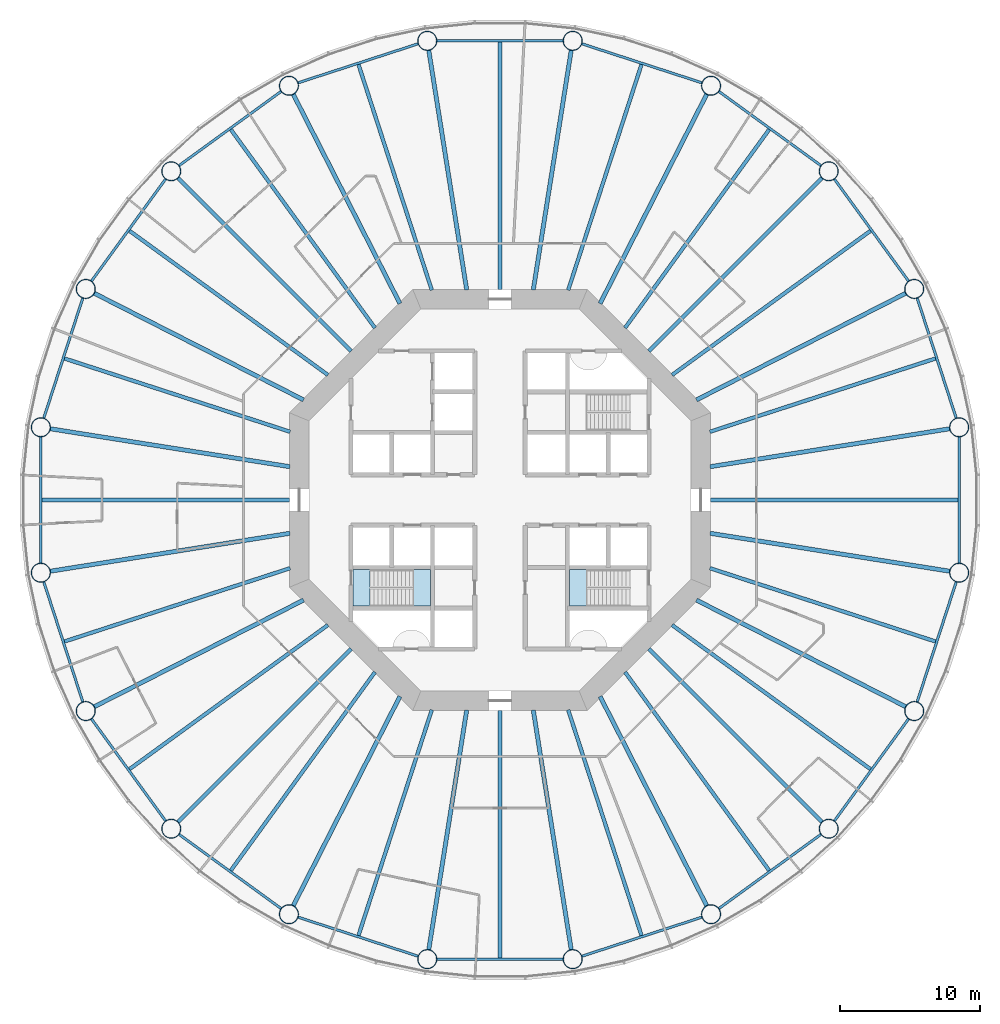
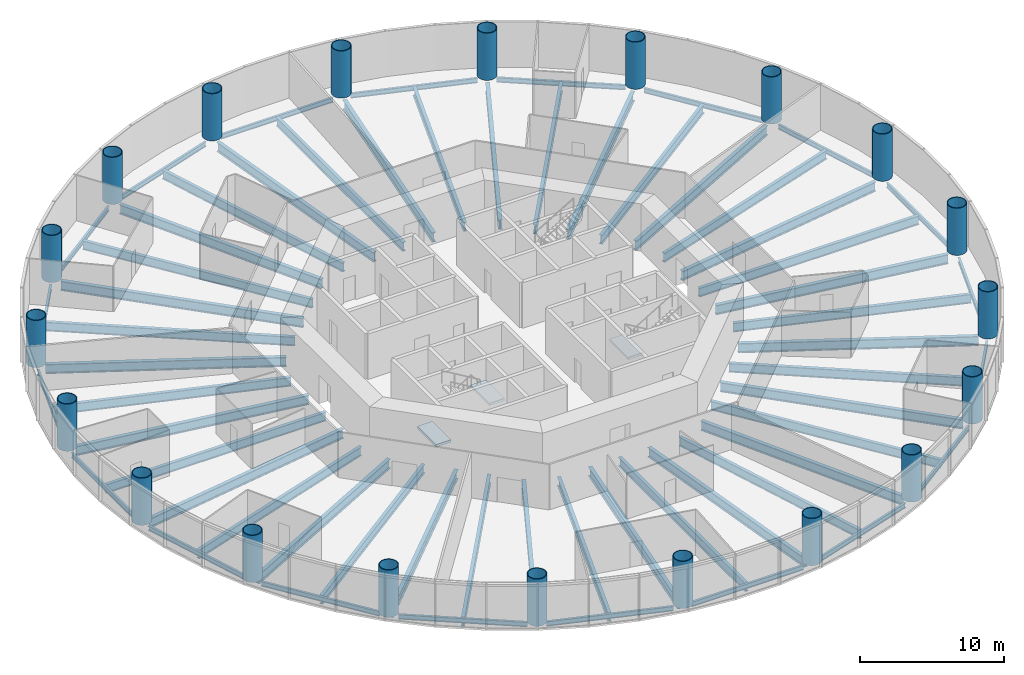
# One storey, part 1 of 13: 60 beams, 20 columns, 3 slabs, 2 elements without a shape of their own.
"""IFC4 building model written with IfcOpenShell, lengths in metres."""

from ifc_helpers import new_model, si_unit, direction, frame, origin, origin_2d, place, context, subcontext, project, spatial, polyline, circle, hollow_circle, i_section, outline, extrude, material, layer, layer_set, material_profile, profile_set, type_object, element, aggregate, save


model = new_model("IFC4")

# Units and contexts
model_context = context("Model", 3, precision=1e-05, world=origin(), true_north=direction((0.0, 1.0)))
body_context = subcontext(model_context, "Body", "Model", "MODEL_VIEW")
ifc_project = project(units=[si_unit("LENGTHUNIT", "METRE"), si_unit("AREAUNIT", "SQUARE_METRE"), si_unit("VOLUMEUNIT", "CUBIC_METRE"), si_unit("PLANEANGLEUNIT", "RADIAN"), si_unit("MASSUNIT", "GRAM", prefix="KILO")], contexts=[model_context])

# Site, building, storey
site_placement = place(None, origin())
site = spatial("IfcSite", under=ifc_project, at=site_placement, CompositionType="ELEMENT")
building_placement = place(site_placement, origin())
building = spatial("IfcBuilding", under=site, at=building_placement, Name="Entoto Ring Tower", CompositionType="ELEMENT")
storey_placement = place(building_placement, frame((0.0, 0.0, 62.0)))
storey = spatial("IfcBuildingStorey", under=building, at=storey_placement, Name="L13", CompositionType="ELEMENT", Elevation=62.0)

# Columns
ifc_material_1 = material(Name="Steel S355", Category="steel")
ifc_material_profile_1 = material_profile(ifc_material_1, hollow_circle(Radius=0.699951171875, WallThickness=0.06005859375, at=origin_2d()), Name="CHS 1400 x 60")
ifc_material_2 = material(Name="Concrete C60/75", Category="concrete")
ifc_material_profile_2 = material_profile(ifc_material_2, circle(Radius=0.639892578125, at=origin_2d()), Name="Concrete C60/75 infill")
ifc_profile_set_1 = profile_set([ifc_material_profile_1, ifc_material_profile_2], Name="Steel S355")
column_type = type_object("IfcColumnType", Name="Ring column 1400 x 60 concrete-filled tube", PredefinedType="COLUMN", material=ifc_profile_set_1)
for number, where, z_axis, x_axis, name in (
    (1, (122.6923828125, 85.177978515625, 0.0), (0.0, 0.0, 1.0), (1.0, 0.0, 0.0), "RC1 R01"),
    (2, (119.492431640625, 95.027099609375, 0.0), (0.0, 0.0, 1.0), (1.0, 0.0, 0.0), "RC1 R02"),
    (3, (113.4052734375, 103.4052734375, 0.0), (0.0, 0.0, 1.0), (1.0, 0.0, 0.0), "RC1 R03"),
    (4, (105.027099609375, 109.492431640625, 0.0), (0.0, 0.0, 1.0), (1.0, 0.0, 0.0), "RC1 R04"),
    (5, (95.177978515625, 112.6923828125, 0.0), (0.0, 0.0, 1.0), (1.0, 0.0, 0.0), "RC1 R05"),
    (6, (84.822021484375, 112.6923828125, 0.0), (0.0, 0.0, 1.0), (1.0, 0.0, 0.0), "RC1 R06"),
    (7, (74.972900390625, 109.492431640625, 0.0), (0.0, 0.0, 1.0), (1.0, 0.0, 0.0), "RC1 R07"),
    (8, (66.5947265625, 103.4052734375, 0.0), (0.0, 0.0, 1.0), (1.0, 0.0, 0.0), "RC1 R08"),
    (9, (60.507568359375, 95.027099609375, 0.0), (0.0, 0.0, 1.0), (1.0, 0.0, 0.0), "RC1 R09"),
    (10, (57.3076171875, 85.177978515625, 0.0), (0.0, 0.0, 1.0), (1.0, 0.0, 0.0), "RC1 R10"),
    (11, (57.3076171875, 74.822021484375, 0.0), (0.0, 0.0, 1.0), (1.0, 0.0, 0.0), "RC1 R11"),
    (12, (60.507568359375, 64.972900390625, 0.0), (0.0, 0.0, 1.0), (1.0, 0.0, 0.0), "RC1 R12"),
    (13, (66.5947265625, 56.5947265625, 0.0), (0.0, 0.0, 1.0), (1.0, 0.0, 0.0), "RC1 R13"),
    (14, (74.972900390625, 50.507568359375, 0.0), (0.0, 0.0, 1.0), (1.0, 0.0, 0.0), "RC1 R14"),
    (15, (84.822021484375, 47.3076171875, 0.0), (0.0, 0.0, 1.0), (1.0, 0.0, 0.0), "RC1 R15"),
    (16, (95.177978515625, 47.3076171875, 0.0), (0.0, 0.0, 1.0), (1.0, 0.0, 0.0), "RC1 R16"),
    (17, (105.027099609375, 50.507568359375, 0.0), (0.0, 0.0, 1.0), (1.0, 0.0, 0.0), "RC1 R17"),
    (18, (113.4052734375, 56.5947265625, 0.0), (0.0, 0.0, 1.0), (1.0, 0.0, 0.0), "RC1 R18"),
    (19, (119.492431640625, 64.972900390625, 0.0), (0.0, 0.0, 1.0), (1.0, 0.0, 0.0), "RC1 R19"),
    (20, (122.6923828125, 74.822021484375, 0.0), (0.0, 0.0, 1.0), (1.0, 0.0, 0.0), "RC1 R20"),
):
    element("IfcColumn", number, at=place(storey_placement, frame(where, z_axis=z_axis, x_axis=x_axis)), inside=storey, type_object=column_type, Name=name, PredefinedType="COLUMN", context=body_context, shape_type="SweptSolid", body=[
        extrude(hollow_circle(Radius=0.699951171875, WallThickness=0.06005859375, at=origin_2d()), origin(), (0.0, 0.0, 1.0), 4.0),
    ])

# Beams
ifc_material_3 = material(Name="Steel S355", Category="steel")
ifc_material_profile_3 = material_profile(ifc_material_3, i_section(OverallWidth=0.179931640625, OverallDepth=0.39990234375, WebThickness=0.008544921875, FlangeThickness=0.013427734375, FilletRadius=0.02099609375, at=origin_2d()), Name="IPE 400")
ifc_profile_set_2 = profile_set([ifc_material_profile_3], Name="Steel S355")
beam_type_1 = type_object("IfcBeamType", Name="Edge beam IPE 400", PredefinedType="SPANDREL", material=ifc_profile_set_2)
for number, where, z_axis, x_axis, name in (
    (21, (122.484130859375, 85.819091796875, -0.35009765625), (-0.309006400295, 0.951059958455, 0.0), (-0.951059958455, -0.309006400295, 0.0), "Edge beam L13 01"),
    (22, (119.09619140625, 95.572509765625, -0.35009765625), (-0.587792917156, 0.80901142547, 0.0), (-0.80901142547, -0.587792917156, 0.0), "Edge beam L13 02"),
    (23, (112.85986328125, 103.801513671875, -0.35009765625), (-0.80901142547, 0.587792917156, 0.0), (-0.587792917156, -0.80901142547, 0.0), "Edge beam L13 03"),
    (24, (104.385986328125, 109.70068359375, -0.35009765625), (-0.951059958455, 0.309006400295, 0.0), (-0.309006400295, -0.951059958455, 0.0), "Edge beam L13 04"),
    (25, (94.50390625, 112.6923828125, -0.35009765625), (-1.0, 0.0, 0.0), (0.0, -1.0, 0.0), "Edge beam L13 05"),
    (26, (84.180908203125, 112.484130859375, -0.35009765625), (-0.951059958455, -0.309006400295, 0.0), (0.309006400295, -0.951059958455, 0.0), "Edge beam L13 06"),
    (27, (74.427490234375, 109.09619140625, -0.35009765625), (-0.80901142547, -0.587792917156, 0.0), (0.587792917156, -0.80901142547, 0.0), "Edge beam L13 07"),
    (28, (66.198486328125, 102.85986328125, -0.35009765625), (-0.587792917156, -0.80901142547, 0.0), (0.80901142547, -0.587792917156, 0.0), "Edge beam L13 08"),
    (29, (60.29931640625, 94.385986328125, -0.35009765625), (-0.309006400295, -0.951059958455, 0.0), (0.951059958455, -0.309006400295, 0.0), "Edge beam L13 09"),
    (30, (57.3076171875, 84.50390625, -0.35009765625), (0.0, -1.0, 0.0), (1.0, 0.0, 0.0), "Edge beam L13 10"),
    (31, (57.515869140625, 74.180908203125, -0.35009765625), (0.309006400295, -0.951059958455, 0.0), (0.951059958455, 0.309006400295, 0.0), "Edge beam L13 11"),
    (32, (60.90380859375, 64.427490234375, -0.35009765625), (0.587792917156, -0.80901142547, 0.0), (0.80901142547, 0.587792917156, 0.0), "Edge beam L13 12"),
    (33, (67.14013671875, 56.198486328125, -0.35009765625), (0.80901142547, -0.587792917156, 0.0), (0.587792917156, 0.80901142547, 0.0), "Edge beam L13 13"),
    (34, (75.614013671875, 50.29931640625, -0.35009765625), (0.951059958455, -0.309006400295, 0.0), (0.309006400295, 0.951059958455, 0.0), "Edge beam L13 14"),
    (35, (85.49609375, 47.3076171875, -0.35009765625), (1.0, 0.0, 0.0), (0.0, 1.0, 0.0), "Edge beam L13 15"),
    (36, (95.819091796875, 47.515869140625, -0.35009765625), (0.951059958455, 0.309006400295, 0.0), (-0.309006400295, 0.951059958455, 0.0), "Edge beam L13 16"),
    (37, (105.572509765625, 50.90380859375, -0.35009765625), (0.80901142547, 0.587792917156, 0.0), (-0.587792917156, 0.80901142547, 0.0), "Edge beam L13 17"),
    (38, (113.801513671875, 57.14013671875, -0.35009765625), (0.587792917156, 0.80901142547, 0.0), (-0.80901142547, 0.587792917156, 0.0), "Edge beam L13 18"),
    (39, (119.70068359375, 65.614013671875, -0.35009765625), (0.309006400295, 0.951059958455, 0.0), (-0.951059958455, 0.309006400295, 0.0), "Edge beam L13 19"),
    (40, (122.6923828125, 75.49609375, -0.35009765625), (0.0, 1.0, 0.0), (-1.0, 0.0, 0.0), "Edge beam L13 20"),
):
    element("IfcBeam", number, at=place(storey_placement, frame(where, z_axis=z_axis, x_axis=x_axis)), inside=storey, type_object=beam_type_1, Name=name, PredefinedType="SPANDREL", context=body_context, shape_type="SweptSolid", body=[
        extrude(i_section(OverallWidth=0.179931640625, OverallDepth=0.39990234375, WebThickness=0.008544921875, FlangeThickness=0.013427734375, FilletRadius=0.02099609375, at=origin_2d()), origin(), (0.0, 0.0, 1.0), 9.0078125),
    ])
ifc_material_4 = material(Name="Steel S355", Category="steel")
ifc_material_profile_4 = material_profile(ifc_material_4, i_section(OverallWidth=0.300048828125, OverallDepth=0.800048828125, WebThickness=0.017578125, FlangeThickness=0.032958984375, FilletRadius=0.030029296875, at=origin_2d()), Name="HE 800 B")
ifc_profile_set_3 = profile_set([ifc_material_profile_4], Name="Steel S355")
beam_type_2 = type_object("IfcBeamType", Name="Primary floor beam HE 800 B", PredefinedType="BEAM", material=ifc_profile_set_3)
beam_1_placement = place(storey_placement, frame((104.956787109375, 82.368896484375, -0.550048828125), z_axis=(0.98768775999, 0.156438130794, 0.0), x_axis=(-0.156438130794, 0.98768775999, 0.0)))
element("IfcBeam", 41, at=beam_1_placement, inside=storey, type_object=beam_type_2, Name="Primary L13 R01", PredefinedType="BEAM", context=body_context, shape_type="SweptSolid", body=[
    extrude(i_section(OverallWidth=0.300048828125, OverallDepth=0.800048828125, WebThickness=0.017578125, FlangeThickness=0.032958984375, FilletRadius=0.030029296875, at=origin_2d()), origin(), (0.0, 0.0, 1.0), 17.293212890625),
])
beam_2_placement = place(storey_placement, frame((103.99169921875, 87.129150390625, -0.550048828125), z_axis=(0.891007761657, 0.453988071063, 0.0), x_axis=(-0.453988071063, 0.891007761657, 0.0)))
element("IfcBeam", 42, at=beam_2_placement, inside=storey, type_object=beam_type_2, Name="Primary L13 R02", PredefinedType="BEAM", context=body_context, shape_type="SweptSolid", body=[
    extrude(i_section(OverallWidth=0.300048828125, OverallDepth=0.800048828125, WebThickness=0.017578125, FlangeThickness=0.032958984375, FilletRadius=0.030029296875, at=origin_2d()), origin(), (0.0, 0.0, 1.0), 16.733154296875),
])
beam_3_placement = place(storey_placement, frame((100.592529296875, 90.592529296875, -0.550048828125), z_axis=(0.707106781187, 0.707106781187, 0.0), x_axis=(-0.707106781187, 0.707106781187, 0.0)))
element("IfcBeam", 43, at=beam_3_placement, inside=storey, type_object=beam_type_2, Name="Primary L13 R03", PredefinedType="BEAM", context=body_context, shape_type="SweptSolid", body=[
    extrude(i_section(OverallWidth=0.300048828125, OverallDepth=0.800048828125, WebThickness=0.017578125, FlangeThickness=0.032958984375, FilletRadius=0.030029296875, at=origin_2d()), origin(), (0.0, 0.0, 1.0), 17.456298828125),
])
beam_4_placement = place(storey_placement, frame((97.129150390625, 93.99169921875, -0.550048828125), z_axis=(0.453988071063, 0.891007761657, 0.0), x_axis=(-0.891007761657, 0.453988071063, 0.0)))
element("IfcBeam", 44, at=beam_4_placement, inside=storey, type_object=beam_type_2, Name="Primary L13 R04", PredefinedType="BEAM", context=body_context, shape_type="SweptSolid", body=[
    extrude(i_section(OverallWidth=0.300048828125, OverallDepth=0.800048828125, WebThickness=0.017578125, FlangeThickness=0.032958984375, FilletRadius=0.030029296875, at=origin_2d()), origin(), (0.0, 0.0, 1.0), 16.733154296875),
])
for number, where, z_axis, x_axis, name in (
    (45, (92.368896484375, 94.956787109375, -0.550048828125), (0.156438130794, 0.98768775999, 0.0), (-0.98768775999, 0.156438130794, 0.0), "Primary L13 R05"),
    (46, (87.631103515625, 94.956787109375, -0.550048828125), (-0.156438130794, 0.98768775999, 0.0), (-0.98768775999, -0.156438130794, 0.0), "Primary L13 R06"),
):
    element("IfcBeam", number, at=place(storey_placement, frame(where, z_axis=z_axis, x_axis=x_axis)), inside=storey, type_object=beam_type_2, Name=name, PredefinedType="BEAM", context=body_context, shape_type="SweptSolid", body=[
        extrude(i_section(OverallWidth=0.300048828125, OverallDepth=0.800048828125, WebThickness=0.017578125, FlangeThickness=0.032958984375, FilletRadius=0.030029296875, at=origin_2d()), origin(), (0.0, 0.0, 1.0), 17.293212890625),
    ])
beam_5_placement = place(storey_placement, frame((82.870849609375, 93.99169921875, -0.550048828125), z_axis=(-0.453988071063, 0.891007761657, 0.0), x_axis=(-0.891007761657, -0.453988071063, 0.0)))
element("IfcBeam", 47, at=beam_5_placement, inside=storey, type_object=beam_type_2, Name="Primary L13 R07", PredefinedType="BEAM", context=body_context, shape_type="SweptSolid", body=[
    extrude(i_section(OverallWidth=0.300048828125, OverallDepth=0.800048828125, WebThickness=0.017578125, FlangeThickness=0.032958984375, FilletRadius=0.030029296875, at=origin_2d()), origin(), (0.0, 0.0, 1.0), 16.733154296875),
])
beam_6_placement = place(storey_placement, frame((79.407470703125, 90.592529296875, -0.550048828125), z_axis=(-0.707106781187, 0.707106781187, 0.0), x_axis=(-0.707106781187, -0.707106781187, 0.0)))
element("IfcBeam", 48, at=beam_6_placement, inside=storey, type_object=beam_type_2, Name="Primary L13 R08", PredefinedType="BEAM", context=body_context, shape_type="SweptSolid", body=[
    extrude(i_section(OverallWidth=0.300048828125, OverallDepth=0.800048828125, WebThickness=0.017578125, FlangeThickness=0.032958984375, FilletRadius=0.030029296875, at=origin_2d()), origin(), (0.0, 0.0, 1.0), 17.456298828125),
])
beam_7_placement = place(storey_placement, frame((76.00830078125, 87.129150390625, -0.550048828125), z_axis=(-0.891007761657, 0.453988071063, 0.0), x_axis=(-0.453988071063, -0.891007761657, 0.0)))
element("IfcBeam", 49, at=beam_7_placement, inside=storey, type_object=beam_type_2, Name="Primary L13 R09", PredefinedType="BEAM", context=body_context, shape_type="SweptSolid", body=[
    extrude(i_section(OverallWidth=0.300048828125, OverallDepth=0.800048828125, WebThickness=0.017578125, FlangeThickness=0.032958984375, FilletRadius=0.030029296875, at=origin_2d()), origin(), (0.0, 0.0, 1.0), 16.733154296875),
])
for number, where, z_axis, x_axis, name in (
    (50, (75.043212890625, 82.368896484375, -0.550048828125), (-0.98768775999, 0.156438130794, 0.0), (-0.156438130794, -0.98768775999, 0.0), "Primary L13 R10"),
    (51, (75.043212890625, 77.631103515625, -0.550048828125), (-0.98768775999, -0.156438130794, 0.0), (0.156438130794, -0.98768775999, 0.0), "Primary L13 R11"),
):
    element("IfcBeam", number, at=place(storey_placement, frame(where, z_axis=z_axis, x_axis=x_axis)), inside=storey, type_object=beam_type_2, Name=name, PredefinedType="BEAM", context=body_context, shape_type="SweptSolid", body=[
        extrude(i_section(OverallWidth=0.300048828125, OverallDepth=0.800048828125, WebThickness=0.017578125, FlangeThickness=0.032958984375, FilletRadius=0.030029296875, at=origin_2d()), origin(), (0.0, 0.0, 1.0), 17.293212890625),
    ])
beam_8_placement = place(storey_placement, frame((76.00830078125, 72.870849609375, -0.550048828125), z_axis=(-0.891007761657, -0.453988071063, 0.0), x_axis=(0.453988071063, -0.891007761657, 0.0)))
element("IfcBeam", 52, at=beam_8_placement, inside=storey, type_object=beam_type_2, Name="Primary L13 R12", PredefinedType="BEAM", context=body_context, shape_type="SweptSolid", body=[
    extrude(i_section(OverallWidth=0.300048828125, OverallDepth=0.800048828125, WebThickness=0.017578125, FlangeThickness=0.032958984375, FilletRadius=0.030029296875, at=origin_2d()), origin(), (0.0, 0.0, 1.0), 16.733154296875),
])
beam_9_placement = place(storey_placement, frame((79.407470703125, 69.407470703125, -0.550048828125), z_axis=(-0.707106781187, -0.707106781187, 0.0), x_axis=(0.707106781187, -0.707106781187, 0.0)))
element("IfcBeam", 53, at=beam_9_placement, inside=storey, type_object=beam_type_2, Name="Primary L13 R13", PredefinedType="BEAM", context=body_context, shape_type="SweptSolid", body=[
    extrude(i_section(OverallWidth=0.300048828125, OverallDepth=0.800048828125, WebThickness=0.017578125, FlangeThickness=0.032958984375, FilletRadius=0.030029296875, at=origin_2d()), origin(), (0.0, 0.0, 1.0), 17.456298828125),
])
beam_10_placement = place(storey_placement, frame((82.870849609375, 66.00830078125, -0.550048828125), z_axis=(-0.453988071063, -0.891007761657, 0.0), x_axis=(0.891007761657, -0.453988071063, 0.0)))
element("IfcBeam", 54, at=beam_10_placement, inside=storey, type_object=beam_type_2, Name="Primary L13 R14", PredefinedType="BEAM", context=body_context, shape_type="SweptSolid", body=[
    extrude(i_section(OverallWidth=0.300048828125, OverallDepth=0.800048828125, WebThickness=0.017578125, FlangeThickness=0.032958984375, FilletRadius=0.030029296875, at=origin_2d()), origin(), (0.0, 0.0, 1.0), 16.733154296875),
])
for number, where, z_axis, x_axis, name in (
    (55, (87.631103515625, 65.043212890625, -0.550048828125), (-0.156438130794, -0.98768775999, 0.0), (0.98768775999, -0.156438130794, 0.0), "Primary L13 R15"),
    (56, (92.368896484375, 65.043212890625, -0.550048828125), (0.156438130794, -0.98768775999, 0.0), (0.98768775999, 0.156438130794, 0.0), "Primary L13 R16"),
):
    element("IfcBeam", number, at=place(storey_placement, frame(where, z_axis=z_axis, x_axis=x_axis)), inside=storey, type_object=beam_type_2, Name=name, PredefinedType="BEAM", context=body_context, shape_type="SweptSolid", body=[
        extrude(i_section(OverallWidth=0.300048828125, OverallDepth=0.800048828125, WebThickness=0.017578125, FlangeThickness=0.032958984375, FilletRadius=0.030029296875, at=origin_2d()), origin(), (0.0, 0.0, 1.0), 17.293212890625),
    ])
beam_11_placement = place(storey_placement, frame((97.129150390625, 66.00830078125, -0.550048828125), z_axis=(0.453988071063, -0.891007761657, 0.0), x_axis=(0.891007761657, 0.453988071063, 0.0)))
element("IfcBeam", 57, at=beam_11_placement, inside=storey, type_object=beam_type_2, Name="Primary L13 R17", PredefinedType="BEAM", context=body_context, shape_type="SweptSolid", body=[
    extrude(i_section(OverallWidth=0.300048828125, OverallDepth=0.800048828125, WebThickness=0.017578125, FlangeThickness=0.032958984375, FilletRadius=0.030029296875, at=origin_2d()), origin(), (0.0, 0.0, 1.0), 16.733154296875),
])
beam_12_placement = place(storey_placement, frame((100.592529296875, 69.407470703125, -0.550048828125), z_axis=(0.707106781187, -0.707106781187, 0.0), x_axis=(0.707106781187, 0.707106781187, 0.0)))
element("IfcBeam", 58, at=beam_12_placement, inside=storey, type_object=beam_type_2, Name="Primary L13 R18", PredefinedType="BEAM", context=body_context, shape_type="SweptSolid", body=[
    extrude(i_section(OverallWidth=0.300048828125, OverallDepth=0.800048828125, WebThickness=0.017578125, FlangeThickness=0.032958984375, FilletRadius=0.030029296875, at=origin_2d()), origin(), (0.0, 0.0, 1.0), 17.456298828125),
])
beam_13_placement = place(storey_placement, frame((103.99169921875, 72.870849609375, -0.550048828125), z_axis=(0.891007761657, -0.453988071063, 0.0), x_axis=(0.453988071063, 0.891007761657, 0.0)))
element("IfcBeam", 59, at=beam_13_placement, inside=storey, type_object=beam_type_2, Name="Primary L13 R19", PredefinedType="BEAM", context=body_context, shape_type="SweptSolid", body=[
    extrude(i_section(OverallWidth=0.300048828125, OverallDepth=0.800048828125, WebThickness=0.017578125, FlangeThickness=0.032958984375, FilletRadius=0.030029296875, at=origin_2d()), origin(), (0.0, 0.0, 1.0), 16.733154296875),
])
beam_14_placement = place(storey_placement, frame((104.956787109375, 77.631103515625, -0.550048828125), z_axis=(0.98768775999, -0.156438130794, 0.0), x_axis=(0.156438130794, 0.98768775999, 0.0)))
element("IfcBeam", 60, at=beam_14_placement, inside=storey, type_object=beam_type_2, Name="Primary L13 R20", PredefinedType="BEAM", context=body_context, shape_type="SweptSolid", body=[
    extrude(i_section(OverallWidth=0.300048828125, OverallDepth=0.800048828125, WebThickness=0.017578125, FlangeThickness=0.032958984375, FilletRadius=0.030029296875, at=origin_2d()), origin(), (0.0, 0.0, 1.0), 17.293212890625),
])
ifc_material_5 = material(Name="Steel S355", Category="steel")
ifc_material_profile_5 = material_profile(ifc_material_5, i_section(OverallWidth=0.262939453125, OverallDepth=0.7529296875, WebThickness=0.011474609375, FlangeThickness=0.01708984375, FilletRadius=0.01708984375, at=origin_2d()), Name="IPE 750 x 137")
ifc_profile_set_4 = profile_set([ifc_material_profile_5], Name="Steel S355")
beam_type_3 = type_object("IfcBeamType", Name="Secondary floor beam IPE 750 x 137", PredefinedType="JOIST", material=ifc_profile_set_4)
beam_15_placement = place(storey_placement, frame((104.9404296875, 84.8544921875, -0.526611328125), z_axis=(0.951057855768, 0.30901287187, 0.0), x_axis=(-0.30901287187, 0.951057855768, 0.0)))
element("IfcBeam", 61, at=beam_15_placement, inside=storey, type_object=beam_type_3, Name="Secondary beam L13 01", PredefinedType="JOIST", context=body_context, shape_type="SweptSolid", body=[
    extrude(i_section(OverallWidth=0.262939453125, OverallDepth=0.7529296875, WebThickness=0.011474609375, FlangeThickness=0.01708984375, FilletRadius=0.01708984375, at=origin_2d()), origin(), (0.0, 0.0, 1.0), 16.893310546875),
])
for number, where, z_axis, x_axis, name in (
    (62, (102.25341796875, 88.902587890625, -0.526611328125), (0.809014194973, 0.58778910532, 0.0), (-0.58778910532, 0.809014194973, 0.0), "Secondary beam L13 02"),
    (63, (98.902587890625, 92.25341796875, -0.526611328125), (0.58778910532, 0.809014194973, 0.0), (-0.809014194973, 0.58778910532, 0.0), "Secondary beam L13 03"),
):
    element("IfcBeam", number, at=place(storey_placement, frame(where, z_axis=z_axis, x_axis=x_axis)), inside=storey, type_object=beam_type_3, Name=name, PredefinedType="JOIST", context=body_context, shape_type="SweptSolid", body=[
        extrude(i_section(OverallWidth=0.262939453125, OverallDepth=0.7529296875, WebThickness=0.011474609375, FlangeThickness=0.01708984375, FilletRadius=0.01708984375, at=origin_2d()), origin(), (0.0, 0.0, 1.0), 17.45654296875),
    ])
beam_16_placement = place(storey_placement, frame((94.8544921875, 94.9404296875, -0.526611328125), z_axis=(0.30901287187, 0.951057855768, 0.0), x_axis=(-0.951057855768, 0.30901287187, 0.0)))
element("IfcBeam", 64, at=beam_16_placement, inside=storey, type_object=beam_type_3, Name="Secondary beam L13 04", PredefinedType="JOIST", context=body_context, shape_type="SweptSolid", body=[
    extrude(i_section(OverallWidth=0.262939453125, OverallDepth=0.7529296875, WebThickness=0.011474609375, FlangeThickness=0.01708984375, FilletRadius=0.01708984375, at=origin_2d()), origin(), (0.0, 0.0, 1.0), 16.893310546875),
])
beam_17_placement = place(storey_placement, frame((90.0, 94.97998046875, -0.526611328125), z_axis=(0.0, 1.0, 0.0), x_axis=(-1.0, 0.0, 0.0)))
element("IfcBeam", 65, at=beam_17_placement, inside=storey, type_object=beam_type_3, Name="Secondary beam L13 05", PredefinedType="JOIST", context=body_context, shape_type="SweptSolid", body=[
    extrude(i_section(OverallWidth=0.262939453125, OverallDepth=0.7529296875, WebThickness=0.011474609375, FlangeThickness=0.01708984375, FilletRadius=0.01708984375, at=origin_2d()), origin(), (0.0, 0.0, 1.0), 17.62255859375),
])
beam_18_placement = place(storey_placement, frame((85.1455078125, 94.9404296875, -0.526611328125), z_axis=(-0.30901287187, 0.951057855768, 0.0), x_axis=(-0.951057855768, -0.30901287187, 0.0)))
element("IfcBeam", 66, at=beam_18_placement, inside=storey, type_object=beam_type_3, Name="Secondary beam L13 06", PredefinedType="JOIST", context=body_context, shape_type="SweptSolid", body=[
    extrude(i_section(OverallWidth=0.262939453125, OverallDepth=0.7529296875, WebThickness=0.011474609375, FlangeThickness=0.01708984375, FilletRadius=0.01708984375, at=origin_2d()), origin(), (0.0, 0.0, 1.0), 16.893310546875),
])
for number, where, z_axis, x_axis, name in (
    (67, (81.097412109375, 92.25341796875, -0.526611328125), (-0.58778910532, 0.809014194973, 0.0), (-0.809014194973, -0.58778910532, 0.0), "Secondary beam L13 07"),
    (68, (77.74658203125, 88.902587890625, -0.526611328125), (-0.809014194973, 0.58778910532, 0.0), (-0.58778910532, -0.809014194973, 0.0), "Secondary beam L13 08"),
):
    element("IfcBeam", number, at=place(storey_placement, frame(where, z_axis=z_axis, x_axis=x_axis)), inside=storey, type_object=beam_type_3, Name=name, PredefinedType="JOIST", context=body_context, shape_type="SweptSolid", body=[
        extrude(i_section(OverallWidth=0.262939453125, OverallDepth=0.7529296875, WebThickness=0.011474609375, FlangeThickness=0.01708984375, FilletRadius=0.01708984375, at=origin_2d()), origin(), (0.0, 0.0, 1.0), 17.45654296875),
    ])
beam_19_placement = place(storey_placement, frame((75.0595703125, 84.8544921875, -0.526611328125), z_axis=(-0.951057855768, 0.30901287187, 0.0), x_axis=(-0.30901287187, -0.951057855768, 0.0)))
element("IfcBeam", 69, at=beam_19_placement, inside=storey, type_object=beam_type_3, Name="Secondary beam L13 09", PredefinedType="JOIST", context=body_context, shape_type="SweptSolid", body=[
    extrude(i_section(OverallWidth=0.262939453125, OverallDepth=0.7529296875, WebThickness=0.011474609375, FlangeThickness=0.01708984375, FilletRadius=0.01708984375, at=origin_2d()), origin(), (0.0, 0.0, 1.0), 16.893310546875),
])
beam_20_placement = place(storey_placement, frame((75.02001953125, 80.0, -0.526611328125), z_axis=(-1.0, 0.0, 0.0), x_axis=(0.0, -1.0, 0.0)))
element("IfcBeam", 70, at=beam_20_placement, inside=storey, type_object=beam_type_3, Name="Secondary beam L13 10", PredefinedType="JOIST", context=body_context, shape_type="SweptSolid", body=[
    extrude(i_section(OverallWidth=0.262939453125, OverallDepth=0.7529296875, WebThickness=0.011474609375, FlangeThickness=0.01708984375, FilletRadius=0.01708984375, at=origin_2d()), origin(), (0.0, 0.0, 1.0), 17.62255859375),
])
beam_21_placement = place(storey_placement, frame((75.0595703125, 75.1455078125, -0.526611328125), z_axis=(-0.951057855768, -0.30901287187, 0.0), x_axis=(0.30901287187, -0.951057855768, 0.0)))
element("IfcBeam", 71, at=beam_21_placement, inside=storey, type_object=beam_type_3, Name="Secondary beam L13 11", PredefinedType="JOIST", context=body_context, shape_type="SweptSolid", body=[
    extrude(i_section(OverallWidth=0.262939453125, OverallDepth=0.7529296875, WebThickness=0.011474609375, FlangeThickness=0.01708984375, FilletRadius=0.01708984375, at=origin_2d()), origin(), (0.0, 0.0, 1.0), 16.893310546875),
])
for number, where, z_axis, x_axis, name in (
    (72, (77.74658203125, 71.097412109375, -0.526611328125), (-0.809014194973, -0.58778910532, 0.0), (0.58778910532, -0.809014194973, 0.0), "Secondary beam L13 12"),
    (73, (81.097412109375, 67.74658203125, -0.526611328125), (-0.58778910532, -0.809014194973, 0.0), (0.809014194973, -0.58778910532, 0.0), "Secondary beam L13 13"),
):
    element("IfcBeam", number, at=place(storey_placement, frame(where, z_axis=z_axis, x_axis=x_axis)), inside=storey, type_object=beam_type_3, Name=name, PredefinedType="JOIST", context=body_context, shape_type="SweptSolid", body=[
        extrude(i_section(OverallWidth=0.262939453125, OverallDepth=0.7529296875, WebThickness=0.011474609375, FlangeThickness=0.01708984375, FilletRadius=0.01708984375, at=origin_2d()), origin(), (0.0, 0.0, 1.0), 17.45654296875),
    ])
beam_22_placement = place(storey_placement, frame((85.1455078125, 65.0595703125, -0.526611328125), z_axis=(-0.30901287187, -0.951057855768, 0.0), x_axis=(0.951057855768, -0.30901287187, 0.0)))
element("IfcBeam", 74, at=beam_22_placement, inside=storey, type_object=beam_type_3, Name="Secondary beam L13 14", PredefinedType="JOIST", context=body_context, shape_type="SweptSolid", body=[
    extrude(i_section(OverallWidth=0.262939453125, OverallDepth=0.7529296875, WebThickness=0.011474609375, FlangeThickness=0.01708984375, FilletRadius=0.01708984375, at=origin_2d()), origin(), (0.0, 0.0, 1.0), 16.893310546875),
])
beam_23_placement = place(storey_placement, frame((90.0, 65.02001953125, -0.526611328125), z_axis=(0.0, -1.0, 0.0), x_axis=(1.0, 0.0, 0.0)))
element("IfcBeam", 75, at=beam_23_placement, inside=storey, type_object=beam_type_3, Name="Secondary beam L13 15", PredefinedType="JOIST", context=body_context, shape_type="SweptSolid", body=[
    extrude(i_section(OverallWidth=0.262939453125, OverallDepth=0.7529296875, WebThickness=0.011474609375, FlangeThickness=0.01708984375, FilletRadius=0.01708984375, at=origin_2d()), origin(), (0.0, 0.0, 1.0), 17.62255859375),
])
beam_24_placement = place(storey_placement, frame((94.8544921875, 65.0595703125, -0.526611328125), z_axis=(0.30901287187, -0.951057855768, 0.0), x_axis=(0.951057855768, 0.30901287187, 0.0)))
element("IfcBeam", 76, at=beam_24_placement, inside=storey, type_object=beam_type_3, Name="Secondary beam L13 16", PredefinedType="JOIST", context=body_context, shape_type="SweptSolid", body=[
    extrude(i_section(OverallWidth=0.262939453125, OverallDepth=0.7529296875, WebThickness=0.011474609375, FlangeThickness=0.01708984375, FilletRadius=0.01708984375, at=origin_2d()), origin(), (0.0, 0.0, 1.0), 16.893310546875),
])
for number, where, z_axis, x_axis, name in (
    (77, (98.902587890625, 67.74658203125, -0.526611328125), (0.58778910532, -0.809014194973, 0.0), (0.809014194973, 0.58778910532, 0.0), "Secondary beam L13 17"),
    (78, (102.25341796875, 71.097412109375, -0.526611328125), (0.809014194973, -0.58778910532, 0.0), (0.58778910532, 0.809014194973, 0.0), "Secondary beam L13 18"),
):
    element("IfcBeam", number, at=place(storey_placement, frame(where, z_axis=z_axis, x_axis=x_axis)), inside=storey, type_object=beam_type_3, Name=name, PredefinedType="JOIST", context=body_context, shape_type="SweptSolid", body=[
        extrude(i_section(OverallWidth=0.262939453125, OverallDepth=0.7529296875, WebThickness=0.011474609375, FlangeThickness=0.01708984375, FilletRadius=0.01708984375, at=origin_2d()), origin(), (0.0, 0.0, 1.0), 17.45654296875),
    ])
beam_25_placement = place(storey_placement, frame((104.9404296875, 75.1455078125, -0.526611328125), z_axis=(0.951057855768, -0.30901287187, 0.0), x_axis=(0.30901287187, 0.951057855768, 0.0)))
element("IfcBeam", 79, at=beam_25_placement, inside=storey, type_object=beam_type_3, Name="Secondary beam L13 19", PredefinedType="JOIST", context=body_context, shape_type="SweptSolid", body=[
    extrude(i_section(OverallWidth=0.262939453125, OverallDepth=0.7529296875, WebThickness=0.011474609375, FlangeThickness=0.01708984375, FilletRadius=0.01708984375, at=origin_2d()), origin(), (0.0, 0.0, 1.0), 16.893310546875),
])
beam_26_placement = place(storey_placement, frame((104.97998046875, 80.0, -0.526611328125), z_axis=(1.0, 0.0, 0.0), x_axis=(0.0, 1.0, 0.0)))
element("IfcBeam", 80, at=beam_26_placement, inside=storey, type_object=beam_type_3, Name="Secondary beam L13 20", PredefinedType="JOIST", context=body_context, shape_type="SweptSolid", body=[
    extrude(i_section(OverallWidth=0.262939453125, OverallDepth=0.7529296875, WebThickness=0.011474609375, FlangeThickness=0.01708984375, FilletRadius=0.01708984375, at=origin_2d()), origin(), (0.0, 0.0, 1.0), 17.62255859375),
])

# Stair, slabs
ifc_material_6 = material(Name="Concrete C40/50", Category="concrete")
stair_type = type_object("IfcStairType", Name="Exit stair 1200 mm dog-leg reinforced concrete", PredefinedType="HALF_TURN_STAIR", material=ifc_material_6)
stair_1_placement = place(storey_placement, origin())
stair_1 = element("IfcStair", 81, at=stair_1_placement, inside=storey, type_object=stair_type, Name="Exit stair 2", PredefinedType="HALF_TURN_STAIR")
ifc_material_7 = material(Name="Concrete C40/50", Category="concrete")
ifc_layer = layer(ifc_material_7, 0.199951171875)
ifc_layer_set = layer_set([ifc_layer], Name="Concrete C40/50")
slab_type = type_object("IfcSlabType", Name="Stair landing 200 mm reinforced concrete", PredefinedType="LANDING", material=ifc_layer_set)
slab_1_placement = place(storey_placement, frame((0.0, 0.0, -0.199951171875)))
slab_1 = element("IfcSlab", 82, at=slab_1_placement, type_object=slab_type, Name="ST2 landing 1", PredefinedType="LANDING", context=body_context, shape_type="SweptSolid", body=[
    extrude(outline(polyline([(80.75, 72.449951171875), (80.75, 75.050048828125), (79.550048828125, 75.050048828125), (79.550048828125, 72.449951171875), (80.75, 72.449951171875)])), origin(), (0.0, 0.0, 1.0), 0.199951171875),
])
slab_2_placement = place(storey_placement, frame((0.0, 0.0, 1.800048828125)))
slab_2 = element("IfcSlab", 83, at=slab_2_placement, type_object=slab_type, Name="ST2 landing 2", PredefinedType="LANDING", context=body_context, shape_type="SweptSolid", body=[
    extrude(outline(polyline([(83.830078125, 72.449951171875), (85.050048828125, 72.449951171875), (85.050048828125, 75.050048828125), (83.830078125, 75.050048828125), (83.830078125, 72.449951171875)])), origin(), (0.0, 0.0, 1.0), 0.199951171875),
])
aggregate(stair_1, [slab_1, slab_2])

# Stair, slab
stair_2_placement = place(storey_placement, origin())
stair_2 = element("IfcStair", 84, at=stair_2_placement, inside=storey, type_object=stair_type, Name="Exit stair 3", PredefinedType="HALF_TURN_STAIR")
slab_3_placement = place(storey_placement, frame((0.0, 0.0, 1.800048828125)))
slab_3 = element("IfcSlab", 85, at=slab_3_placement, type_object=slab_type, Name="ST3 landing 2", PredefinedType="LANDING", context=body_context, shape_type="SweptSolid", body=[
    extrude(outline(polyline([(94.949951171875, 72.449951171875), (96.169921875, 72.449951171875), (96.169921875, 75.050048828125), (94.949951171875, 75.050048828125), (94.949951171875, 72.449951171875)])), origin(), (0.0, 0.0, 1.0), 0.199951171875),
])
aggregate(stair_2, [slab_3])

save(model, "model.ifc")
